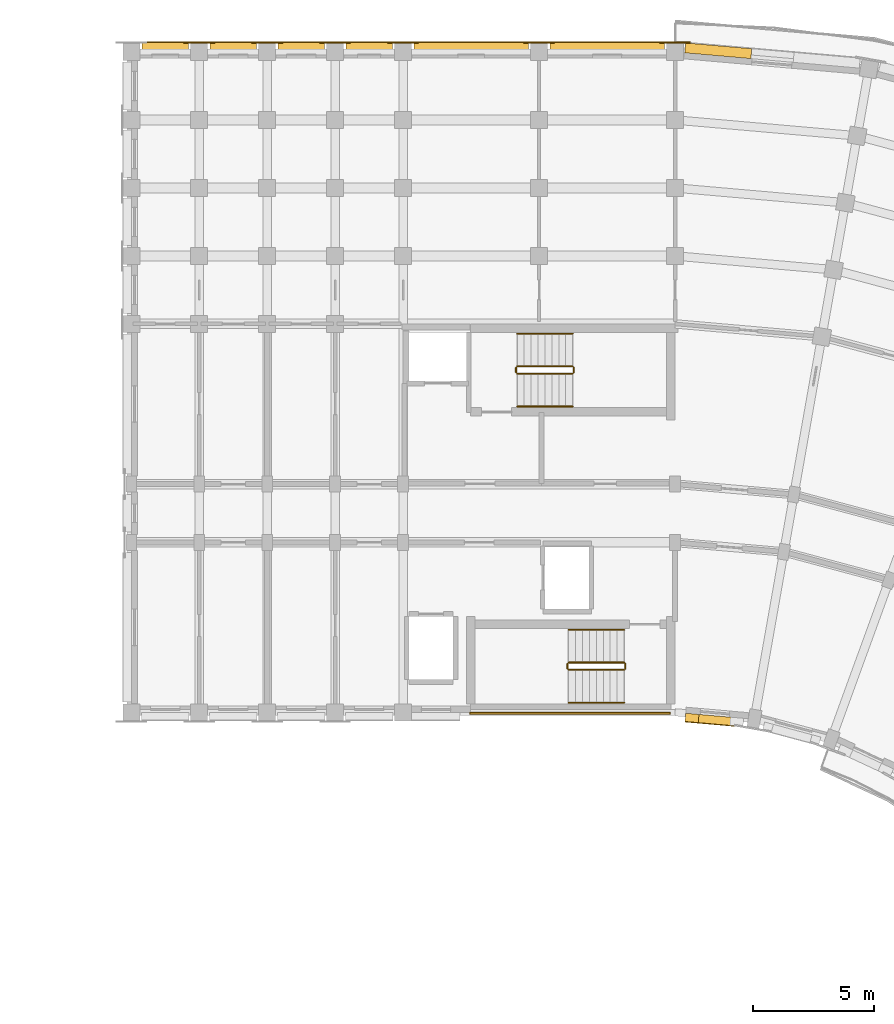
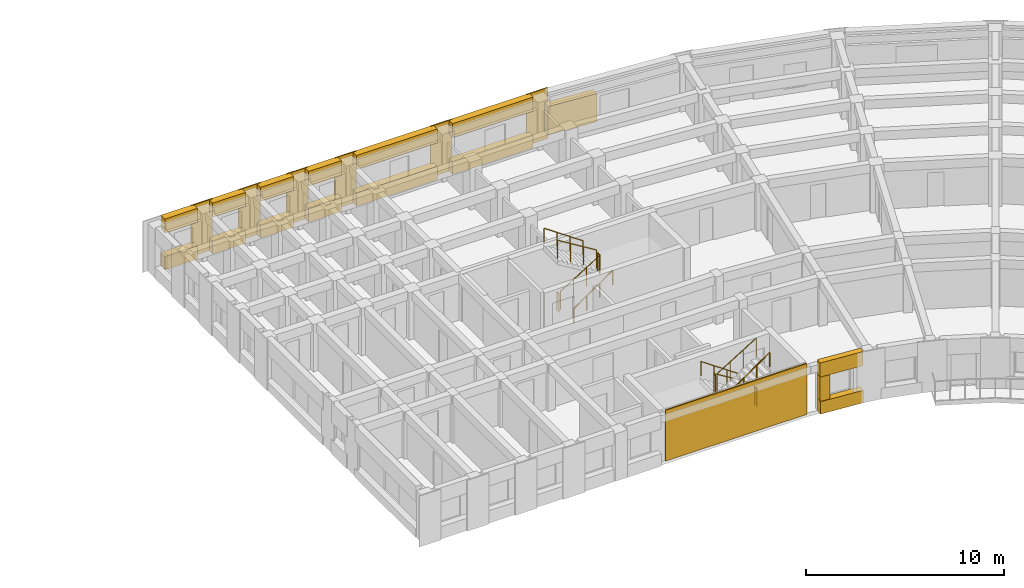
# One storey, part 50 of 54: 23 coverings, 12 railings.
"""IFC4 building model written with IfcOpenShell, lengths in metres."""

from ifc_helpers import new_model, si_unit, direction, frame, origin, origin_2d, place, context, subcontext, project, spatial, polyline, circle, outline, extrude, material, layer, layer_set, type_object, element, save


model = new_model("IFC4")

# Units and contexts
model_context = context("Model", 3, precision=1e-05, world=origin(), true_north=direction((0.0, 1.0)))
body_context = subcontext(model_context, "Body", "Model", "MODEL_VIEW")
ifc_project = project(units=[si_unit("LENGTHUNIT", "METRE"), si_unit("AREAUNIT", "SQUARE_METRE"), si_unit("VOLUMEUNIT", "CUBIC_METRE"), si_unit("PLANEANGLEUNIT", "RADIAN"), si_unit("MASSUNIT", "GRAM", prefix="KILO")], contexts=[model_context])

# Site, building, storey
site_placement = place(None, origin())
site = spatial("IfcSite", under=ifc_project, at=site_placement, CompositionType="ELEMENT")
building_placement = place(site_placement, origin())
building = spatial("IfcBuilding", under=site, at=building_placement, Name="Kiranvali Square Residences", CompositionType="ELEMENT")
storey_placement = place(building_placement, frame((0.0, 0.0, 27.60009765625)))
storey = spatial("IfcBuildingStorey", under=building, at=storey_placement, Name="L08", CompositionType="ELEMENT", Elevation=27.60009765625)

# Coverings
ifc_material_1 = material(Name="Honed Porbandar limestone ashlar facade cladding", Category="masonry")
ifc_layer_1 = layer(ifc_material_1, 0.3798828125)
ifc_layer_set_1 = layer_set([ifc_layer_1], Name="Honed Porbandar limestone ashlar facade cladding")
covering_type_1 = type_object("IfcCoveringType", Name="COV-CLAD-JAMB", PredefinedType="CLADDING", material=ifc_layer_set_1)
covering_1_placement = place(storey_placement, frame((0.0, 0.0, 0.52978515625)))
element("IfcCovering", 1, at=covering_1_placement, inside=storey, type_object=covering_type_1, Name="L08 deep limestone window jamb reveal B-L08-CRV-00.L", PredefinedType="CLADDING", context=body_context, shape_type="SweptSolid", body=[
    extrude(outline(polyline([(120.198486328125, 133.765625), (122.92236328125, 133.52734375), (122.9580078125, 133.935302734375), (120.234130859375, 134.173583984375), (120.198486328125, 133.765625)])), origin(), (0.0, 0.0, 1.0), 1.75),
])
covering_2_placement = place(storey_placement, frame((0.0, 0.0, 0.77197265625)))
element("IfcCovering", 2, at=covering_2_placement, inside=storey, type_object=covering_type_1, Name="L08 deep limestone window jamb reveal B-L08-GDN-00.L", PredefinedType="CLADDING", context=body_context, shape_type="SweptSolid", body=[
    extrude(outline(polyline([(120.208740234375, 106.222900390625), (120.755126953125, 106.175048828125), (120.78466796875, 106.513427734375), (120.23828125, 106.56103515625), (120.208740234375, 106.222900390625)])), origin(), (0.0, 0.0, 1.0), 1.5),
])
ifc_layer_2 = layer(ifc_material_1, 0.06494140625)
ifc_layer_set_2 = layer_set([ifc_layer_2], Name="Honed Porbandar limestone ashlar facade cladding")
covering_type_2 = type_object("IfcCoveringType", Name="COV-CLAD-PIER", PredefinedType="CLADDING", material=ifc_layer_set_2)
covering_3_placement = place(storey_placement, frame((0.0, 0.0, 0.0048828125)))
element("IfcCovering", 3, at=covering_3_placement, inside=storey, type_object=covering_type_2, Name="L08 Classical limestone corner pilaster CLAD-PR-B-L08-A00", PredefinedType="CLADDING", context=body_context, shape_type="SweptSolid", body=[
    extrude(outline(polyline([(120.429931640625, 134.218017578125), (119.169921875, 134.218017578125), (119.169921875, 134.150390625), (120.429931640625, 134.150390625), (120.429931640625, 134.218017578125)])), origin(), (0.0, 0.0, 1.0), 3.14013671875),
])
covering_4_placement = place(storey_placement, frame((0.0, 0.0, 0.0048828125)))
element("IfcCovering", 4, at=covering_4_placement, inside=storey, type_object=covering_type_2, Name="Block B L08 garden stair limestone ashlar cladding", PredefinedType="CLADDING", context=body_context, shape_type="SweptSolid", body=[
    extrude(outline(polyline([(119.60009765625, 106.597900390625), (111.35009765625, 106.597900390625), (111.35009765625, 106.52001953125), (119.60009765625, 106.52001953125), (119.60009765625, 106.597900390625)])), origin(), (0.0, 0.0, 1.0), 3.14013671875),
])
ifc_layer_3 = layer(ifc_material_1, 0.054931640625)
ifc_layer_set_3 = layer_set([ifc_layer_3], Name="Honed Porbandar limestone ashlar facade cladding")
covering_type_3 = type_object("IfcCoveringType", Name="COV-CLAD-PIER-UP", PredefinedType="CLADDING", material=ifc_layer_set_3)
covering_5_placement = place(storey_placement, frame((0.0, 0.0, 0.0048828125)))
element("IfcCovering", 5, at=covering_5_placement, inside=storey, type_object=covering_type_3, Name="L08 Classical limestone pilaster casing CLAD-PR-B-L08-U56", PredefinedType="CLADDING", context=body_context, shape_type="SweptSolid", body=[
    extrude(outline(polyline([(114.830078125, 134.218017578125), (113.570068359375, 134.218017578125), (113.570068359375, 134.150390625), (114.830078125, 134.150390625), (114.830078125, 134.218017578125)])), origin(), (0.0, 0.0, 1.0), 3.14013671875),
])
covering_6_placement = place(storey_placement, frame((0.0, 0.0, 0.0048828125)))
element("IfcCovering", 6, at=covering_6_placement, inside=storey, type_object=covering_type_3, Name="L08 Classical limestone pilaster casing CLAD-PR-B-L08-U112", PredefinedType="CLADDING", context=body_context, shape_type="SweptSolid", body=[
    extrude(outline(polyline([(109.22998046875, 134.218017578125), (107.969970703125, 134.218017578125), (107.969970703125, 134.150390625), (109.22998046875, 134.150390625), (109.22998046875, 134.218017578125)])), origin(), (0.0, 0.0, 1.0), 3.14013671875),
])
covering_7_placement = place(storey_placement, frame((0.0, 0.0, 0.0048828125)))
element("IfcCovering", 7, at=covering_7_placement, inside=storey, type_object=covering_type_3, Name="L08 Classical limestone pilaster casing CLAD-PR-B-L08-U140", PredefinedType="CLADDING", context=body_context, shape_type="SweptSolid", body=[
    extrude(outline(polyline([(106.429931640625, 134.218017578125), (105.169921875, 134.218017578125), (105.169921875, 134.150390625), (106.429931640625, 134.150390625), (106.429931640625, 134.218017578125)])), origin(), (0.0, 0.0, 1.0), 3.14013671875),
])
covering_8_placement = place(storey_placement, frame((0.0, 0.0, 0.0048828125)))
element("IfcCovering", 8, at=covering_8_placement, inside=storey, type_object=covering_type_3, Name="L08 Classical limestone pilaster casing CLAD-PR-B-L08-U167", PredefinedType="CLADDING", context=body_context, shape_type="SweptSolid", body=[
    extrude(outline(polyline([(103.6298828125, 134.218017578125), (102.3701171875, 134.218017578125), (102.3701171875, 134.150390625), (103.6298828125, 134.150390625), (103.6298828125, 134.218017578125)])), origin(), (0.0, 0.0, 1.0), 3.14013671875),
])
covering_9_placement = place(storey_placement, frame((0.0, 0.0, 0.0048828125)))
element("IfcCovering", 9, at=covering_9_placement, inside=storey, type_object=covering_type_3, Name="L08 Classical limestone pilaster casing CLAD-PR-B-L08-U195", PredefinedType="CLADDING", context=body_context, shape_type="SweptSolid", body=[
    extrude(outline(polyline([(100.830078125, 134.218017578125), (99.570068359375, 134.218017578125), (99.570068359375, 134.150390625), (100.830078125, 134.150390625), (100.830078125, 134.218017578125)])), origin(), (0.0, 0.0, 1.0), 3.14013671875),
])
ifc_layer_4 = layer(ifc_material_1, 0.360107421875)
ifc_layer_set_4 = layer_set([ifc_layer_4], Name="Honed Porbandar limestone ashlar facade cladding")
covering_type_4 = type_object("IfcCoveringType", Name="COV-CLAD-WALL", PredefinedType="CLADDING", material=ifc_layer_set_4)
covering_10_placement = place(storey_placement, frame((0.0, 0.0, 2.27197265625)))
element("IfcCovering", 10, at=covering_10_placement, inside=storey, type_object=covering_type_4, Name="L08 light limestone spandrel lintel B-L08-GDN-00", PredefinedType="CLADDING", context=body_context, shape_type="SweptSolid", body=[
    extrude(outline(polyline([(120.208740234375, 106.222900390625), (122.5966796875, 106.013916015625), (122.626220703125, 106.352294921875), (120.23828125, 106.56103515625), (120.208740234375, 106.222900390625)])), origin(), (0.0, 0.0, 1.0), 0.873046875),
])
covering_11_placement = place(storey_placement, frame((0.0, 0.0, 2.27978515625)))
element("IfcCovering", 11, at=covering_11_placement, inside=storey, type_object=covering_type_4, Name="L08 light limestone spandrel lintel B-L08-A1O-0", PredefinedType="CLADDING", context=body_context, shape_type="SweptSolid", body=[
    extrude(outline(polyline([(119.360107421875, 134.199951171875), (114.639892578125, 134.199951171875), (114.639892578125, 133.800537109375), (119.360107421875, 133.800537109375), (119.360107421875, 134.199951171875)])), origin(), (0.0, 0.0, 1.0), 0.865234375),
])
covering_12_placement = place(storey_placement, frame((0.0, 0.0, 0.0048828125)))
element("IfcCovering", 12, at=covering_12_placement, inside=storey, type_object=covering_type_4, Name="L08 limestone window sill apron B-L08-A1O-0", PredefinedType="CLADDING", context=body_context, shape_type="SweptSolid", body=[
    extrude(outline(polyline([(119.360107421875, 134.22998046875), (114.639892578125, 134.22998046875), (114.639892578125, 133.800537109375), (119.360107421875, 133.800537109375), (119.360107421875, 134.22998046875)])), origin(), (0.0, 0.0, 1.0), 0.77490234375),
])
covering_13_placement = place(storey_placement, frame((0.0, 0.0, 2.27978515625)))
element("IfcCovering", 13, at=covering_13_placement, inside=storey, type_object=covering_type_4, Name="L08 light limestone spandrel lintel B-L08-A1O-1", PredefinedType="CLADDING", context=body_context, shape_type="SweptSolid", body=[
    extrude(outline(polyline([(113.760009765625, 134.199951171875), (109.0400390625, 134.199951171875), (109.0400390625, 133.800537109375), (113.760009765625, 133.800537109375), (113.760009765625, 134.199951171875)])), origin(), (0.0, 0.0, 1.0), 0.865234375),
])
covering_14_placement = place(storey_placement, frame((0.0, 0.0, 0.0048828125)))
element("IfcCovering", 14, at=covering_14_placement, inside=storey, type_object=covering_type_4, Name="L08 limestone window sill apron B-L08-A1O-1", PredefinedType="CLADDING", context=body_context, shape_type="SweptSolid", body=[
    extrude(outline(polyline([(113.760009765625, 134.22998046875), (109.0400390625, 134.22998046875), (109.0400390625, 133.800537109375), (113.760009765625, 133.800537109375), (113.760009765625, 134.22998046875)])), origin(), (0.0, 0.0, 1.0), 0.824951171875),
])
covering_15_placement = place(storey_placement, frame((0.0, 0.0, 2.22998046875)))
element("IfcCovering", 15, at=covering_15_placement, inside=storey, type_object=covering_type_4, Name="L08 light limestone spandrel lintel B-L08-A1O-2", PredefinedType="CLADDING", context=body_context, shape_type="SweptSolid", body=[
    extrude(outline(polyline([(108.159912109375, 134.199951171875), (106.239990234375, 134.199951171875), (106.239990234375, 133.800537109375), (108.159912109375, 133.800537109375), (108.159912109375, 134.199951171875)])), origin(), (0.0, 0.0, 1.0), 0.9150390625),
])
covering_16_placement = place(storey_placement, frame((0.0, 0.0, 0.0048828125)))
element("IfcCovering", 16, at=covering_16_placement, inside=storey, type_object=covering_type_4, Name="L08 limestone window sill apron B-L08-A1O-2", PredefinedType="CLADDING", context=body_context, shape_type="SweptSolid", body=[
    extrude(outline(polyline([(108.159912109375, 134.22998046875), (106.239990234375, 134.22998046875), (106.239990234375, 133.800537109375), (108.159912109375, 133.800537109375), (108.159912109375, 134.22998046875)])), origin(), (0.0, 0.0, 1.0), 0.875),
])
covering_17_placement = place(storey_placement, frame((0.0, 0.0, 2.27978515625)))
element("IfcCovering", 17, at=covering_17_placement, inside=storey, type_object=covering_type_4, Name="L08 light limestone spandrel lintel B-L08-A1O-3", PredefinedType="CLADDING", context=body_context, shape_type="SweptSolid", body=[
    extrude(outline(polyline([(105.360107421875, 134.199951171875), (103.43994140625, 134.199951171875), (103.43994140625, 133.800537109375), (105.360107421875, 133.800537109375), (105.360107421875, 134.199951171875)])), origin(), (0.0, 0.0, 1.0), 0.865234375),
])
covering_18_placement = place(storey_placement, frame((0.0, 0.0, 0.0048828125)))
element("IfcCovering", 18, at=covering_18_placement, inside=storey, type_object=covering_type_4, Name="L08 limestone window sill apron B-L08-A1O-3", PredefinedType="CLADDING", context=body_context, shape_type="SweptSolid", body=[
    extrude(outline(polyline([(105.360107421875, 134.22998046875), (103.43994140625, 134.22998046875), (103.43994140625, 133.800537109375), (105.360107421875, 133.800537109375), (105.360107421875, 134.22998046875)])), origin(), (0.0, 0.0, 1.0), 0.77490234375),
])
covering_19_placement = place(storey_placement, frame((0.0, 0.0, 2.27978515625)))
element("IfcCovering", 19, at=covering_19_placement, inside=storey, type_object=covering_type_4, Name="L08 light limestone spandrel lintel B-L08-A1O-4", PredefinedType="CLADDING", context=body_context, shape_type="SweptSolid", body=[
    extrude(outline(polyline([(102.56005859375, 134.199951171875), (100.639892578125, 134.199951171875), (100.639892578125, 133.800537109375), (102.56005859375, 133.800537109375), (102.56005859375, 134.199951171875)])), origin(), (0.0, 0.0, 1.0), 0.865234375),
])
covering_20_placement = place(storey_placement, frame((0.0, 0.0, 0.0048828125)))
element("IfcCovering", 20, at=covering_20_placement, inside=storey, type_object=covering_type_4, Name="L08 limestone window sill apron B-L08-A1O-4", PredefinedType="CLADDING", context=body_context, shape_type="SweptSolid", body=[
    extrude(outline(polyline([(102.56005859375, 134.22998046875), (100.639892578125, 134.22998046875), (100.639892578125, 133.800537109375), (102.56005859375, 133.800537109375), (102.56005859375, 134.22998046875)])), origin(), (0.0, 0.0, 1.0), 0.77490234375),
])
covering_21_placement = place(storey_placement, frame((0.0, 0.0, 2.27978515625)))
element("IfcCovering", 21, at=covering_21_placement, inside=storey, type_object=covering_type_4, Name="L08 light limestone spandrel lintel B-L08-A1O-5", PredefinedType="CLADDING", context=body_context, shape_type="SweptSolid", body=[
    extrude(outline(polyline([(99.760009765625, 134.199951171875), (97.840087890625, 134.199951171875), (97.840087890625, 133.800537109375), (99.760009765625, 133.800537109375), (99.760009765625, 134.199951171875)])), origin(), (0.0, 0.0, 1.0), 0.865234375),
])
covering_22_placement = place(storey_placement, frame((0.0, 0.0, 0.0048828125)))
element("IfcCovering", 22, at=covering_22_placement, inside=storey, type_object=covering_type_4, Name="L08 limestone window sill apron B-L08-A1O-5", PredefinedType="CLADDING", context=body_context, shape_type="SweptSolid", body=[
    extrude(outline(polyline([(99.760009765625, 134.22998046875), (97.840087890625, 134.22998046875), (97.840087890625, 133.800537109375), (99.760009765625, 133.800537109375), (99.760009765625, 134.22998046875)])), origin(), (0.0, 0.0, 1.0), 0.824951171875),
])
ifc_layer_5 = layer(ifc_material_1, 0.2900390625)
ifc_layer_set_5 = layer_set([ifc_layer_5], Name="Honed Porbandar limestone ashlar facade cladding")
covering_type_5 = type_object("IfcCoveringType", Name="COV-CLAD-WALL-IN", PredefinedType="CLADDING", material=ifc_layer_set_5)
covering_23_placement = place(storey_placement, frame((0.0, 0.0, 0.0048828125)))
element("IfcCovering", 23, at=covering_23_placement, inside=storey, type_object=covering_type_5, Name="L08 limestone window sill apron B-L08-GDN-00", PredefinedType="CLADDING", context=body_context, shape_type="SweptSolid", body=[
    extrude(outline(polyline([(120.2060546875, 106.193115234375), (122.593994140625, 105.984130859375), (122.626220703125, 106.352294921875), (120.23828125, 106.56103515625), (120.2060546875, 106.193115234375)])), origin(), (0.0, 0.0, 1.0), 0.76708984375),
])

# Railings
ifc_material_2 = material(Name="Brushed stainless steel tubular handrail", Category="steel")
railing_type_1 = type_object("IfcRailingType", Name="RL-HANDRAIL-900", PredefinedType="HANDRAIL", material=ifc_material_2)
railing_1_placement = place(storey_placement, frame((113.300048828125, 119.199951171875, 0.1748046875)))
element("IfcRailing", 24, at=railing_1_placement, inside=storey, type_object=railing_type_1, Name="L08 ST-B1 stair handrail 1", PredefinedType="HANDRAIL", context=body_context, shape_type="SweptSolid", body=[
    extrude(circle(Radius=0.02392578125, at=origin_2d()), frame((0.0, 0.0, 0.8759765625), z_axis=(0.82274681792, 0.0, 0.568408016835), x_axis=(0.0, 1.0, 0.0)), (0.0, 0.0, 1.0), 2.771240234375),
    extrude(circle(Radius=0.02099609375, at=origin_2d()), origin(), (0.0, 0.0, 1.0), 0.851806640625),
    extrude(circle(Radius=0.02099609375, at=origin_2d()), frame((0.760009765625, 0.0, 0.525146484375)), (0.0, 0.0, 1.0), 0.851806640625),
    extrude(circle(Radius=0.02099609375, at=origin_2d()), frame((1.52001953125, 0.0, 1.050048828125)), (0.0, 0.0, 1.0), 0.851806640625),
    extrude(circle(Radius=0.02099609375, at=origin_2d()), frame((2.280029296875, 0.0, 1.5751953125)), (0.0, 0.0, 1.0), 0.851806640625),
])
railing_2_placement = place(storey_placement, frame((115.580078125, 122.199951171875, 1.75)))
element("IfcRailing", 25, at=railing_2_placement, inside=storey, type_object=railing_type_1, Name="L08 ST-B1 stair handrail 2", PredefinedType="HANDRAIL", context=body_context, shape_type="SweptSolid", body=[
    extrude(circle(Radius=0.02392578125, at=origin_2d()), frame((0.0, 0.0, 0.8759765625), z_axis=(-0.82278801735, 0.0, 0.568348377763), x_axis=(0.0, -1.0, 0.0)), (0.0, 0.0, 1.0), 2.77099609375),
    extrude(circle(Radius=0.02099609375, at=origin_2d()), origin(), (0.0, 0.0, 1.0), 0.851806640625),
    extrude(circle(Radius=0.02099609375, at=origin_2d()), frame((-0.760009765625, 0.0, 0.52490234375)), (0.0, 0.0, 1.0), 0.851806640625),
    extrude(circle(Radius=0.02099609375, at=origin_2d()), frame((-1.52001953125, 0.0, 1.050048828125)), (0.0, 0.0, 1.0), 0.851806640625),
    extrude(circle(Radius=0.02099609375, at=origin_2d()), frame((-2.280029296875, 0.0, 1.574951171875)), (0.0, 0.0, 1.0), 0.851806640625),
])
railing_3_placement = place(storey_placement, frame((117.699951171875, 110.0, 0.1748046875)))
element("IfcRailing", 26, at=railing_3_placement, inside=storey, type_object=railing_type_1, Name="L08 ST-B2 stair handrail 1", PredefinedType="HANDRAIL", context=body_context, shape_type="SweptSolid", body=[
    extrude(circle(Radius=0.02392578125, at=origin_2d()), frame((0.0, 0.0, 0.8759765625), z_axis=(-0.82274681792, 0.0, 0.568408016835), x_axis=(0.0, -1.0, 0.0)), (0.0, 0.0, 1.0), 2.771240234375),
    extrude(circle(Radius=0.02099609375, at=origin_2d()), origin(), (0.0, 0.0, 1.0), 0.851806640625),
    extrude(circle(Radius=0.02099609375, at=origin_2d()), frame((-0.760009765625, 0.0, 0.525146484375)), (0.0, 0.0, 1.0), 0.851806640625),
    extrude(circle(Radius=0.02099609375, at=origin_2d()), frame((-1.52001953125, 0.0, 1.050048828125)), (0.0, 0.0, 1.0), 0.851806640625),
    extrude(circle(Radius=0.02099609375, at=origin_2d()), frame((-2.280029296875, 0.0, 1.5751953125)), (0.0, 0.0, 1.0), 0.851806640625),
])
railing_4_placement = place(storey_placement, frame((115.419921875, 107.0, 1.75)))
element("IfcRailing", 27, at=railing_4_placement, inside=storey, type_object=railing_type_1, Name="L08 ST-B2 stair handrail 2", PredefinedType="HANDRAIL", context=body_context, shape_type="SweptSolid", body=[
    extrude(circle(Radius=0.02392578125, at=origin_2d()), frame((0.0, 0.0, 0.8759765625), z_axis=(0.82278801735, 0.0, 0.568348377763), x_axis=(0.0, 1.0, 0.0)), (0.0, 0.0, 1.0), 2.77099609375),
    extrude(circle(Radius=0.02099609375, at=origin_2d()), origin(), (0.0, 0.0, 1.0), 0.851806640625),
    extrude(circle(Radius=0.02099609375, at=origin_2d()), frame((0.760009765625, 0.0, 0.52490234375)), (0.0, 0.0, 1.0), 0.851806640625),
    extrude(circle(Radius=0.02099609375, at=origin_2d()), frame((1.52001953125, 0.0, 1.050048828125)), (0.0, 0.0, 1.0), 0.851806640625),
    extrude(circle(Radius=0.02099609375, at=origin_2d()), frame((2.280029296875, 0.0, 1.574951171875)), (0.0, 0.0, 1.0), 0.851806640625),
])
ifc_material_3 = material(Name="Powder-coated architectural bronze balustrade", Category="steel")
railing_type_2 = type_object("IfcRailingType", Name="RL-ST-GUARD-1200", PredefinedType="GUARDRAIL", material=ifc_material_3)
railing_5_placement = place(storey_placement, frame((113.300048828125, 120.550048828125, 0.1748046875)))
element("IfcRailing", 28, at=railing_5_placement, inside=storey, type_object=railing_type_2, Name="L08 ST-B1 stair guard 1", PredefinedType="GUARDRAIL", context=body_context, shape_type="SweptSolid", body=[
    extrude(circle(Radius=0.02392578125, at=origin_2d()), frame((0.0, 0.0, 1.1259765625), z_axis=(0.852149810458, 0.0, 0.523297908018), x_axis=(0.0, 1.0, 0.0)), (0.0, 0.0, 1.0), 2.675537109375),
    extrude(circle(Radius=0.02099609375, at=origin_2d()), origin(), (0.0, 0.0, 1.0), 1.101806640625),
    extrude(circle(Radius=0.02099609375, at=origin_2d()), frame((0.760009765625, 0.0, 0.466796875)), (0.0, 0.0, 1.0), 1.101806640625),
    extrude(circle(Radius=0.02099609375, at=origin_2d()), frame((1.52001953125, 0.0, 0.933349609375)), (0.0, 0.0, 1.0), 1.101806640625),
    extrude(circle(Radius=0.02099609375, at=origin_2d()), frame((2.280029296875, 0.0, 1.400146484375)), (0.0, 0.0, 1.0), 1.101806640625),
])
railing_6_placement = place(storey_placement, frame((115.6298828125, 120.60009765625, 1.574951171875)))
element("IfcRailing", 29, at=railing_6_placement, inside=storey, type_object=railing_type_2, Name="L08 ST-B1 stair guard 2", PredefinedType="GUARDRAIL", context=body_context, shape_type="SweptSolid", body=[
    extrude(circle(Radius=0.02392578125, at=origin_2d()), frame((0.0, 0.0, 1.1259765625), z_axis=(0.0, 1.0, 0.0), x_axis=(-1.0, 0.0, 0.0)), (0.0, 0.0, 1.0), 0.199951171875),
    extrude(circle(Radius=0.02099609375, at=origin_2d()), origin(), (0.0, 0.0, 1.0), 1.101806640625),
    extrude(circle(Radius=0.02099609375, at=origin_2d()), frame((0.0, 0.199951171875, 0.0)), (0.0, 0.0, 1.0), 1.101806640625),
])
railing_7_placement = place(storey_placement, frame((115.580078125, 120.85009765625, 1.75)))
element("IfcRailing", 30, at=railing_7_placement, inside=storey, type_object=railing_type_2, Name="L08 ST-B1 stair guard 3", PredefinedType="GUARDRAIL", context=body_context, shape_type="SweptSolid", body=[
    extrude(circle(Radius=0.02392578125, at=origin_2d()), frame((0.0, 0.0, 1.1259765625), z_axis=(-0.852190499154, 0.0, 0.523231643875), x_axis=(0.0, -1.0, 0.0)), (0.0, 0.0, 1.0), 2.675537109375),
    extrude(circle(Radius=0.02099609375, at=origin_2d()), origin(), (0.0, 0.0, 1.0), 1.101806640625),
    extrude(circle(Radius=0.02099609375, at=origin_2d()), frame((-0.760009765625, 0.0, 0.466552734375)), (0.0, 0.0, 1.0), 1.101806640625),
    extrude(circle(Radius=0.02099609375, at=origin_2d()), frame((-1.52001953125, 0.0, 0.933349609375)), (0.0, 0.0, 1.0), 1.101806640625),
    extrude(circle(Radius=0.02099609375, at=origin_2d()), frame((-2.280029296875, 0.0, 1.39990234375)), (0.0, 0.0, 1.0), 1.101806640625),
])
railing_8_placement = place(storey_placement, frame((113.25, 120.60009765625, 0.0)))
element("IfcRailing", 31, at=railing_8_placement, inside=storey, type_object=railing_type_2, Name="L08 ST-B1 stair guard 4", PredefinedType="GUARDRAIL", context=body_context, shape_type="SweptSolid", body=[
    extrude(circle(Radius=0.02392578125, at=origin_2d()), frame((0.0, 0.0, 1.1259765625), z_axis=(0.0, 1.0, 0.0), x_axis=(-1.0, 0.0, 0.0)), (0.0, 0.0, 1.0), 0.199951171875),
    extrude(circle(Radius=0.02099609375, at=origin_2d()), origin(), (0.0, 0.0, 1.0), 1.101806640625),
    extrude(circle(Radius=0.02099609375, at=origin_2d()), frame((0.0, 0.199951171875, 0.0)), (0.0, 0.0, 1.0), 1.101806640625),
])
railing_9_placement = place(storey_placement, frame((117.699951171875, 108.64990234375, 0.1748046875)))
element("IfcRailing", 32, at=railing_9_placement, inside=storey, type_object=railing_type_2, Name="L08 ST-B2 stair guard 1", PredefinedType="GUARDRAIL", context=body_context, shape_type="SweptSolid", body=[
    extrude(circle(Radius=0.02392578125, at=origin_2d()), frame((0.0, 0.0, 1.1259765625), z_axis=(-0.852149810458, 0.0, 0.523297908018), x_axis=(0.0, -1.0, 0.0)), (0.0, 0.0, 1.0), 2.675537109375),
    extrude(circle(Radius=0.02099609375, at=origin_2d()), origin(), (0.0, 0.0, 1.0), 1.101806640625),
    extrude(circle(Radius=0.02099609375, at=origin_2d()), frame((-0.760009765625, 0.0, 0.466796875)), (0.0, 0.0, 1.0), 1.101806640625),
    extrude(circle(Radius=0.02099609375, at=origin_2d()), frame((-1.52001953125, 0.0, 0.933349609375)), (0.0, 0.0, 1.0), 1.101806640625),
    extrude(circle(Radius=0.02099609375, at=origin_2d()), frame((-2.280029296875, 0.0, 1.400146484375)), (0.0, 0.0, 1.0), 1.101806640625),
])
railing_10_placement = place(storey_placement, frame((115.3701171875, 108.60009765625, 1.574951171875)))
element("IfcRailing", 33, at=railing_10_placement, inside=storey, type_object=railing_type_2, Name="L08 ST-B2 stair guard 2", PredefinedType="GUARDRAIL", context=body_context, shape_type="SweptSolid", body=[
    extrude(circle(Radius=0.02392578125, at=origin_2d()), frame((0.0, 0.0, 1.1259765625), z_axis=(0.0, -1.0, 0.0), x_axis=(1.0, 0.0, 0.0)), (0.0, 0.0, 1.0), 0.2001953125),
    extrude(circle(Radius=0.02099609375, at=origin_2d()), origin(), (0.0, 0.0, 1.0), 1.101806640625),
    extrude(circle(Radius=0.02099609375, at=origin_2d()), frame((0.0, -0.2001953125, 0.0)), (0.0, 0.0, 1.0), 1.101806640625),
])
railing_11_placement = place(storey_placement, frame((115.419921875, 108.35009765625, 1.75)))
element("IfcRailing", 34, at=railing_11_placement, inside=storey, type_object=railing_type_2, Name="L08 ST-B2 stair guard 3", PredefinedType="GUARDRAIL", context=body_context, shape_type="SweptSolid", body=[
    extrude(circle(Radius=0.02392578125, at=origin_2d()), frame((0.0, 0.0, 1.1259765625), z_axis=(0.852190499154, 0.0, 0.523231643875), x_axis=(0.0, 1.0, 0.0)), (0.0, 0.0, 1.0), 2.675537109375),
    extrude(circle(Radius=0.02099609375, at=origin_2d()), origin(), (0.0, 0.0, 1.0), 1.101806640625),
    extrude(circle(Radius=0.02099609375, at=origin_2d()), frame((0.760009765625, 0.0, 0.466552734375)), (0.0, 0.0, 1.0), 1.101806640625),
    extrude(circle(Radius=0.02099609375, at=origin_2d()), frame((1.52001953125, 0.0, 0.933349609375)), (0.0, 0.0, 1.0), 1.101806640625),
    extrude(circle(Radius=0.02099609375, at=origin_2d()), frame((2.280029296875, 0.0, 1.39990234375)), (0.0, 0.0, 1.0), 1.101806640625),
])
railing_12_placement = place(storey_placement, frame((117.75, 108.60009765625, 0.0)))
element("IfcRailing", 35, at=railing_12_placement, inside=storey, type_object=railing_type_2, Name="L08 ST-B2 stair guard 4", PredefinedType="GUARDRAIL", context=body_context, shape_type="SweptSolid", body=[
    extrude(circle(Radius=0.02392578125, at=origin_2d()), frame((0.0, 0.0, 1.1259765625), z_axis=(0.0, -1.0, 0.0), x_axis=(1.0, 0.0, 0.0)), (0.0, 0.0, 1.0), 0.2001953125),
    extrude(circle(Radius=0.02099609375, at=origin_2d()), origin(), (0.0, 0.0, 1.0), 1.101806640625),
    extrude(circle(Radius=0.02099609375, at=origin_2d()), frame((0.0, -0.2001953125, 0.0)), (0.0, 0.0, 1.0), 1.101806640625),
])

save(model, "model.ifc")
